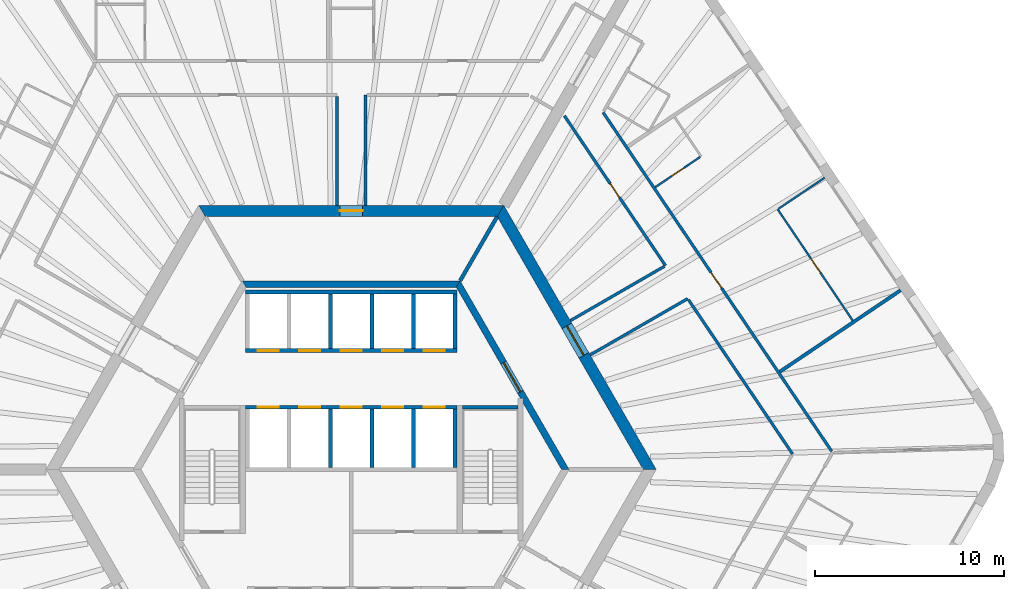
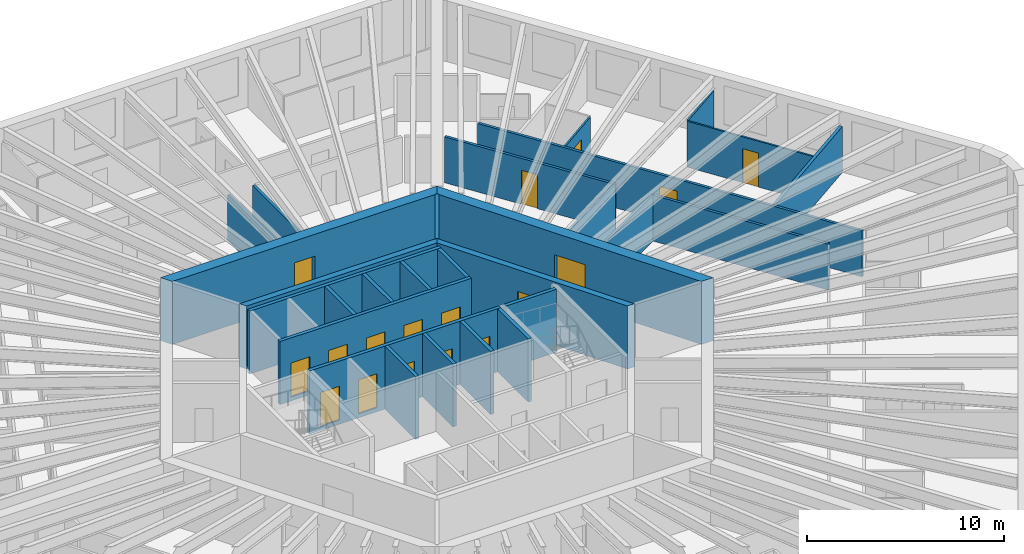
# One storey, part 9 of 12: 28 walls, 17 doors, 17 openings.
"""IFC4 building model written with IfcOpenShell, lengths in metres."""

from ifc_helpers import new_model, si_unit, direction, frame, frame_2d, origin, place, context, subcontext, project, spatial, polyline, rectangle, outline, extrude, material, layer, layer_set, type_object, element, fill, save


model = new_model("IFC4")

# Units and contexts
model_context = context("Model", 3, precision=1e-05, world=origin(), true_north=direction((0.0, 1.0)))
body_context = subcontext(model_context, "Body", "Model", "MODEL_VIEW")
ifc_project = project(units=[si_unit("LENGTHUNIT", "METRE"), si_unit("AREAUNIT", "SQUARE_METRE"), si_unit("VOLUMEUNIT", "CUBIC_METRE"), si_unit("PLANEANGLEUNIT", "RADIAN"), si_unit("MASSUNIT", "GRAM", prefix="KILO")], contexts=[model_context])

# Site, building, storey
site_placement = place(None, origin())
site = spatial("IfcSite", under=ifc_project, at=site_placement, CompositionType="ELEMENT")
building_placement = place(site_placement, origin())
building = spatial("IfcBuilding", under=site, at=building_placement, Name="Tarnside Tower", CompositionType="ELEMENT")
storey_placement = place(building_placement, frame((0.0, 0.0, 138.89990234375)))
storey = spatial("IfcBuildingStorey", under=building, at=storey_placement, Name="L32", CompositionType="ELEMENT", Elevation=138.89990234375)

# Wall, opening, door
ifc_material_1 = material(Name="Gypsum board partition on steel studs", Category="steel")
ifc_layer_1 = layer(ifc_material_1, 0.10009765625)
ifc_layer_set_1 = layer_set([ifc_layer_1], Name="Bathroom wall 100")
wall_type_1 = type_object("IfcWallType", Name="Bathroom wall 100", PredefinedType="PARTITIONING", material=ifc_layer_set_1)
wall_1_placement = place(storey_placement, frame((18.499267578125, 16.565673828125, 0.0), z_axis=(0.0, 0.0, 1.0), x_axis=(-0.82904649496, -0.559179675234, 0.0)))
wall_1 = element("IfcWall", 1, at=wall_1_placement, inside=storey, type_object=wall_type_1, Name="Bathroom wall 10150", PredefinedType="PARTITIONING", context=body_context, shape_type="SweptSolid", body=[
    extrude(rectangle(XDim=2.875, YDim=0.10009765625, at=frame_2d((1.4375, 0.0))), origin(), (0.0, 0.0, 1.0), 2.837890625),
])
opening_1_placement = place(wall_1_placement, frame((1.050048828125, 0.0, 0.0)))
opening_1 = element("IfcOpeningElement", 2, at=opening_1_placement, cuts=wall_1, Name="Opening D-B1", PredefinedType="OPENING", context=body_context, shape_type="SweptSolid", body=[
    extrude(rectangle(XDim=0.800048828125, YDim=2.10009765625, at=frame_2d((0.39990234375, 1.050048828125))), frame((0.0, 0.06005859375, 0.0), z_axis=(0.0, -1.0, 0.0), x_axis=(1.0, 0.0, 0.0)), (0.0, 0.0, 1.0), 0.1201171875),
])
ifc_material_2 = material(Name="Timber door leaf", Category="wood")
door_type_1 = type_object("IfcDoorType", Name="Bathroom door 800", OperationType="NOTDEFINED", PredefinedType="DOOR", material=ifc_material_2)
door_1_placement = place(opening_1_placement, origin())
door_1 = element("IfcDoor", 3, at=door_1_placement, inside=storey, type_object=door_type_1, Name="Bathroom door 10038", OperationType="SINGLE_SWING_LEFT", OverallHeight=2.10009765625, OverallWidth=0.800048828125, PredefinedType="DOOR", context=body_context, shape_type="SweptSolid", body=[
    extrude(rectangle(XDim=0.800048828125, YDim=2.10009765625, at=frame_2d((0.39990234375, 1.050048828125))), frame((0.0, 0.02490234375, 0.0), z_axis=(0.0, -1.0, 0.0), x_axis=(1.0, 0.0, 0.0)), (0.0, 0.0, 1.0), 0.050048828125),
])
fill(opening_1, door_1)

ifc_material_3 = material(Name="Concrete C50/60", Category="concrete")
ifc_layer_2 = layer(ifc_material_3, 0.35009765625)
ifc_layer_set_2 = layer_set([ifc_layer_2], Name="Core block wall 350 C50/60")
wall_type_2 = type_object("IfcWallType", Name="Core block wall 350 C50/60", PredefinedType="SHEAR", material=ifc_layer_set_2)
wall_2_placement = place(storey_placement, frame((11.344970703125, 0.0, -0.14990234375), z_axis=(0.0, 0.0, 1.0), x_axis=(-0.499995046907, 0.866028263435, 0.0)))
wall_2 = element("IfcWall", 4, at=wall_2_placement, inside=storey, type_object=wall_type_2, Name="L32 core block wall face 6", PredefinedType="SHEAR", context=body_context, shape_type="SweptSolid", body=[
    extrude(outline(polyline([(-0.10107421875, -0.175048828125), (11.44580078125, -0.175048828125), (11.24365234375, 0.175048828125), (0.10107421875, 0.175048828125), (-0.10107421875, -0.175048828125)])), origin(), (0.0, 0.0, 1.0), 3.89990234375),
])
opening_2_placement = place(wall_2_placement, frame((4.74365234375, 0.0, 0.14990234375)))
opening_2 = element("IfcOpeningElement", 5, at=opening_2_placement, cuts=wall_2, Name="Opening CD-LOB", PredefinedType="OPENING", context=body_context, shape_type="SweptSolid", body=[
    extrude(rectangle(XDim=1.800048828125, YDim=2.39990234375, at=frame_2d((0.89990234375, 1.199951171875))), frame((0.0, 0.18505859375, 0.0), z_axis=(0.0, -1.0, 0.0), x_axis=(1.0, 0.0, 0.0)), (0.0, 0.0, 1.0), 0.3701171875),
])
ifc_material_4 = material(Name="Steel fire door", Category="steel")
door_type_2 = type_object("IfcDoorType", Name="Lobby double door FD30S 1800x2400", OperationType="NOTDEFINED", PredefinedType="DOOR", material=ifc_material_4)
door_2_placement = place(opening_2_placement, origin())
door_2 = element("IfcDoor", 6, at=door_2_placement, inside=storey, type_object=door_type_2, Name="L32 lobby block door P2", OperationType="DOUBLE_DOOR_SINGLE_SWING", OverallHeight=2.39990234375, OverallWidth=1.800048828125, PredefinedType="DOOR", context=body_context, shape_type="SweptSolid", body=[
    extrude(rectangle(XDim=1.800048828125, YDim=2.39990234375, at=frame_2d((0.89990234375, 1.199951171875))), frame((0.0, 0.02490234375, 0.0), z_axis=(0.0, -1.0, 0.0), x_axis=(1.0, 0.0, 0.0)), (0.0, 0.0, 1.0), 0.050048828125),
])
fill(opening_2, door_2)

# Wall
wall_3_placement = place(storey_placement, frame((5.672607421875, 9.824951171875, -0.14990234375), z_axis=(0.0, 0.0, 1.0), x_axis=(-1.0, 0.0, 0.0)))
element("IfcWall", 7, at=wall_3_placement, inside=storey, type_object=wall_type_2, Name="L32 core block wall face 1", PredefinedType="SHEAR", context=body_context, shape_type="SweptSolid", body=[
    extrude(outline(polyline([(-0.10107421875, -0.175048828125), (11.4462890625, -0.175048828125), (11.244140625, 0.175048828125), (0.10107421875, 0.175048828125), (-0.10107421875, -0.175048828125)])), origin(), (0.0, 0.0, 1.0), 3.89990234375),
])

# Wall, opening, door
ifc_material_5 = material(Name="Concrete C80/95", Category="concrete")
ifc_layer_3 = layer(ifc_material_5, 0.60009765625)
ifc_layer_set_3 = layer_set([ifc_layer_3], Name="Core wall Z1 600 C80/95")
wall_type_3 = type_object("IfcWallType", Name="Core wall Z1 600 C80/95", PredefinedType="SHEAR", material=ifc_layer_set_3)
wall_4_placement = place(storey_placement, frame((15.8193359375, 0.0, -0.14990234375), z_axis=(0.0, 0.0, 1.0), x_axis=(-0.499999880136, 0.866025472988, 0.0)))
wall_4 = element("IfcWall", 8, at=wall_4_placement, inside=storey, type_object=wall_type_3, Name="L32 core wall face 6", PredefinedType="SHEAR", context=body_context, shape_type="SweptSolid", body=[
    extrude(outline(polyline([(-0.17333984375, -0.300048828125), (15.99267578125, -0.300048828125), (15.64599609375, 0.300048828125), (0.17333984375, 0.300048828125), (-0.17333984375, -0.300048828125)])), origin(), (0.0, 0.0, 1.0), 3.89990234375),
])
opening_3_placement = place(wall_4_placement, frame((6.980712890625, 0.0, 0.14990234375)))
opening_3 = element("IfcOpeningElement", 9, at=opening_3_placement, cuts=wall_4, Name="Opening CD-LOB", PredefinedType="OPENING", context=body_context, shape_type="SweptSolid", body=[
    extrude(rectangle(XDim=1.800048828125, YDim=2.39990234375, at=frame_2d((0.89990234375, 1.199951171875))), frame((0.0, 0.31005859375, 0.0), z_axis=(0.0, -1.0, 0.0), x_axis=(1.0, 0.0, 0.0)), (0.0, 0.0, 1.0), 0.6201171875),
])
door_3_placement = place(opening_3_placement, origin())
door_3 = element("IfcDoor", 10, at=door_3_placement, inside=storey, type_object=door_type_2, Name="L32 core door P2", OperationType="DOUBLE_DOOR_SINGLE_SWING", OverallHeight=2.39990234375, OverallWidth=1.800048828125, PredefinedType="DOOR", context=body_context, shape_type="SweptSolid", body=[
    extrude(rectangle(XDim=1.800048828125, YDim=2.39990234375, at=frame_2d((0.89990234375, 1.199951171875))), frame((0.0, 0.02490234375, 0.0), z_axis=(0.0, -1.0, 0.0), x_axis=(1.0, 0.0, 0.0)), (0.0, 0.0, 1.0), 0.050048828125),
])
fill(opening_3, door_3)

wall_5_placement = place(storey_placement, frame((7.90966796875, 13.699951171875, -0.14990234375), z_axis=(0.0, 0.0, 1.0), x_axis=(-1.0, 0.0, 0.0)))
wall_5 = element("IfcWall", 11, at=wall_5_placement, inside=storey, type_object=wall_type_3, Name="L32 core wall face 1", PredefinedType="SHEAR", context=body_context, shape_type="SweptSolid", body=[
    extrude(outline(polyline([(-0.17333984375, -0.300048828125), (15.99267578125, -0.300048828125), (15.64599609375, 0.300048828125), (0.17333984375, 0.300048828125), (-0.17333984375, -0.300048828125)])), origin(), (0.0, 0.0, 1.0), 3.89990234375),
])
opening_4_placement = place(wall_5_placement, frame((7.309814453125, 0.0, 0.14990234375)))
opening_4 = element("IfcOpeningElement", 12, at=opening_4_placement, cuts=wall_5, Name="Opening CD-RSR", PredefinedType="OPENING", context=body_context, shape_type="SweptSolid", body=[
    extrude(rectangle(XDim=1.199951171875, YDim=2.39990234375, at=frame_2d((0.60009765625, 1.199951171875))), frame((0.0, 0.31005859375, 0.0), z_axis=(0.0, -1.0, 0.0), x_axis=(1.0, 0.0, 0.0)), (0.0, 0.0, 1.0), 0.6201171875),
])
door_type_3 = type_object("IfcDoorType", Name="Riser door FD60 1200x2400", OperationType="NOTDEFINED", PredefinedType="DOOR", material=ifc_material_4)
door_4_placement = place(opening_4_placement, origin())
door_4 = element("IfcDoor", 13, at=door_4_placement, inside=storey, type_object=door_type_3, Name="L32 core door S5", OperationType="SINGLE_SWING_LEFT", OverallHeight=2.39990234375, OverallWidth=1.199951171875, PredefinedType="DOOR", context=body_context, shape_type="SweptSolid", body=[
    extrude(rectangle(XDim=1.199951171875, YDim=2.39990234375, at=frame_2d((0.60009765625, 1.199951171875))), frame((0.0, 0.02490234375, 0.0), z_axis=(0.0, -1.0, 0.0), x_axis=(1.0, 0.0, 0.0)), (0.0, 0.0, 1.0), 0.050048828125),
])
fill(opening_4, door_4)

# Walls
ifc_layer_4 = layer(ifc_material_1, 0.14990234375)
ifc_layer_set_4 = layer_set([ifc_layer_4], Name="Corridor wall 150 EI 60")
wall_type_4 = type_object("IfcWallType", Name="Corridor wall 150 EI 60", PredefinedType="PARTITIONING", material=ifc_layer_set_4)
wall_6_placement = place(storey_placement, frame((-0.75, 19.77490234375, 0.0), z_axis=(0.0, 0.0, 1.0), x_axis=(0.0, -1.0, 0.0)))
element("IfcWall", 14, at=wall_6_placement, inside=storey, type_object=wall_type_4, Name="Corridor wall 10019", PredefinedType="PARTITIONING", context=body_context, shape_type="SweptSolid", body=[
    extrude(rectangle(XDim=5.77490234375, YDim=0.14990234375, at=frame_2d((2.887451171875, 0.0))), origin(), (0.0, 0.0, 1.0), 2.837890625),
])
wall_7_placement = place(storey_placement, frame((0.75, 14.0, 0.0), z_axis=(0.0, 0.0, 1.0), x_axis=(0.0, 1.0, 0.0)))
element("IfcWall", 15, at=wall_7_placement, inside=storey, type_object=wall_type_4, Name="Corridor wall 10020", PredefinedType="PARTITIONING", context=body_context, shape_type="SweptSolid", body=[
    extrude(rectangle(XDim=5.85009765625, YDim=0.14990234375, at=frame_2d((2.925048828125, 0.0))), origin(), (0.0, 0.0, 1.0), 2.837890625),
])

# Wall, opening, door
wall_8_placement = place(storey_placement, frame((25.467041015625, 0.960205078125, 0.0), z_axis=(0.0, 0.0, 1.0), x_axis=(-0.559200743185, 0.829032284547, 0.0)))
wall_8 = element("IfcWall", 16, at=wall_8_placement, inside=storey, type_object=wall_type_4, Name="Corridor wall 10059", PredefinedType="PARTITIONING", context=body_context, shape_type="SweptSolid", body=[
    extrude(rectangle(XDim=21.66796875, YDim=0.14990234375, at=frame_2d((10.833984375, 0.0))), origin(), (0.0, 0.0, 1.0), 2.837890625),
])
opening_5_placement = place(wall_8_placement, frame((10.433837890625, 0.0, 0.0)))
opening_5 = element("IfcOpeningElement", 17, at=opening_5_placement, cuts=wall_8, Name="Opening D-E1", PredefinedType="OPENING", context=body_context, shape_type="SweptSolid", body=[
    extrude(rectangle(XDim=1.0, YDim=2.10009765625, at=frame_2d((0.5, 1.050048828125))), frame((0.0, 0.0849609375, 0.0), z_axis=(0.0, -1.0, 0.0), x_axis=(1.0, 0.0, 0.0)), (0.0, 0.0, 1.0), 0.169921875),
])
door_type_4 = type_object("IfcDoorType", Name="Unit entrance door 1000 FD30S", OperationType="NOTDEFINED", PredefinedType="DOOR", material=ifc_material_2)
door_5_placement = place(opening_5_placement, origin())
door_5 = element("IfcDoor", 18, at=door_5_placement, inside=storey, type_object=door_type_4, Name="Unit door 10037", OperationType="SINGLE_SWING_RIGHT", OverallHeight=2.10009765625, OverallWidth=1.0, PredefinedType="DOOR", context=body_context, shape_type="SweptSolid", body=[
    extrude(rectangle(XDim=1.0, YDim=2.10009765625, at=frame_2d((0.5, 1.050048828125))), frame((0.0, 0.02490234375, 0.0), z_axis=(0.0, -1.0, 0.0), x_axis=(1.0, 0.0, 0.0)), (0.0, 0.0, 1.0), 0.050048828125),
])
fill(opening_5, door_5)

# Walls
wall_9_placement = place(storey_placement, frame((12.663818359375, 6.065673828125, 0.0), z_axis=(0.0, 0.0, 1.0), x_axis=(0.866018848283, 0.500011354289, 0.0)))
element("IfcWall", 19, at=wall_9_placement, inside=storey, type_object=wall_type_4, Name="Corridor wall 10067", PredefinedType="PARTITIONING", context=body_context, shape_type="SweptSolid", body=[
    extrude(rectangle(XDim=5.973876953125, YDim=0.14990234375, at=frame_2d((2.98681640625, 0.0))), origin(), (0.0, 0.0, 1.0), 2.837890625),
])
wall_10_placement = place(storey_placement, frame((17.87939453125, 8.990234375, 0.0), z_axis=(0.0, 0.0, 1.0), x_axis=(0.559189565351, -0.829039824136, 0.0)))
element("IfcWall", 20, at=wall_10_placement, inside=storey, type_object=wall_type_4, Name="Corridor wall 10068", PredefinedType="PARTITIONING", context=body_context, shape_type="SweptSolid", body=[
    extrude(rectangle(XDim=9.85888671875, YDim=0.14990234375, at=frame_2d((4.929443359375, 0.0))), origin(), (0.0, 0.0, 1.0), 2.837890625),
])

# Wall, opening, door
wall_11_placement = place(storey_placement, frame((11.297607421875, 18.748046875, 0.0), z_axis=(0.0, 0.0, 1.0), x_axis=(0.559198234291, -0.829033976847, 0.0)))
wall_11 = element("IfcWall", 21, at=wall_11_placement, inside=storey, type_object=wall_type_4, Name="Corridor wall 10074", PredefinedType="PARTITIONING", context=body_context, shape_type="SweptSolid", body=[
    extrude(rectangle(XDim=9.589599609375, YDim=0.14990234375, at=frame_2d((4.794921875, 0.0))), origin(), (0.0, 0.0, 1.0), 2.837890625),
])
opening_6_placement = place(wall_11_placement, frame((4.3447265625, 0.0, 0.0)))
opening_6 = element("IfcOpeningElement", 22, at=opening_6_placement, cuts=wall_11, Name="Opening D-S1", PredefinedType="OPENING", context=body_context, shape_type="SweptSolid", body=[
    extrude(rectangle(XDim=0.89990234375, YDim=2.10009765625, at=frame_2d((0.449951171875, 1.050048828125))), frame((0.0, 0.0849609375, 0.0), z_axis=(0.0, -1.0, 0.0), x_axis=(1.0, 0.0, 0.0)), (0.0, 0.0, 1.0), 0.169921875),
])
door_type_5 = type_object("IfcDoorType", Name="Service room door 900 FD30S", OperationType="NOTDEFINED", PredefinedType="DOOR", material=ifc_material_2)
door_6_placement = place(opening_6_placement, origin())
door_6 = element("IfcDoor", 23, at=door_6_placement, inside=storey, type_object=door_type_5, Name="Service door 10050", OperationType="SINGLE_SWING_RIGHT", OverallHeight=2.10009765625, OverallWidth=0.89990234375, PredefinedType="DOOR", context=body_context, shape_type="SweptSolid", body=[
    extrude(rectangle(XDim=0.89990234375, YDim=2.10009765625, at=frame_2d((0.449951171875, 1.050048828125))), frame((0.0, 0.02490234375, 0.0), z_axis=(0.0, -1.0, 0.0), x_axis=(1.0, 0.0, 0.0)), (0.0, 0.0, 1.0), 0.050048828125),
])
fill(opening_6, door_6)

# Walls
wall_12_placement = place(storey_placement, frame((16.594970703125, 10.76025390625, 0.0), z_axis=(0.0, 0.0, 1.0), x_axis=(-0.866019477104, -0.500010265171, 0.0)))
element("IfcWall", 24, at=wall_12_placement, inside=storey, type_object=wall_type_4, Name="Corridor wall 10075", PredefinedType="PARTITIONING", context=body_context, shape_type="SweptSolid", body=[
    extrude(rectangle(XDim=5.751953125, YDim=0.14990234375, at=frame_2d((2.8759765625, 0.0))), origin(), (0.0, 0.0, 1.0), 2.837890625),
])
ifc_layer_5 = layer(ifc_material_1, 0.179931640625)
ifc_layer_set_5 = layer_set([ifc_layer_5], Name="Demising wall 180 EI 60")
wall_type_5 = type_object("IfcWallType", Name="Demising wall 180 EI 60", PredefinedType="PARTITIONING", material=ifc_layer_set_5)
wall_13_placement = place(storey_placement, frame((29.11865234375, 9.4951171875, 0.0), z_axis=(0.0, 0.0, 1.0), x_axis=(-0.82903328576, -0.559199258853, 0.0)))
element("IfcWall", 25, at=wall_13_placement, inside=storey, type_object=wall_type_5, Name="Demising wall 10147", PredefinedType="PARTITIONING", context=body_context, shape_type="SweptSolid", body=[
    extrude(rectangle(XDim=7.72509765625, YDim=0.179931640625, at=frame_2d((3.862548828125, 0.0))), origin(), (0.0, 0.0, 1.0), 2.837890625),
])

# Wall, openings, doors
ifc_material_6 = material(Name="Concrete C40/50", Category="concrete")
ifc_layer_6 = layer(ifc_material_6, 0.199951171875)
ifc_layer_set_6 = layer_set([ifc_layer_6], Name="Lift shaft wall 200 C40/50")
wall_type_6 = type_object("IfcWallType", Name="Lift shaft wall 200 C40/50", PredefinedType="SHEAR", material=ifc_layer_set_6)
wall_14_placement = place(storey_placement, frame((-5.60009765625, 6.300048828125, -0.25), z_axis=(0.0, 0.0, 1.0), x_axis=(1.0, 0.0, 0.0)))
wall_14 = element("IfcWall", 26, at=wall_14_placement, inside=storey, type_object=wall_type_6, Name="L32 lift shaft front wall R1", PredefinedType="SHEAR", context=body_context, shape_type="SweptSolid", body=[
    extrude(rectangle(XDim=11.2001953125, YDim=0.199951171875, at=frame_2d((5.60009765625, 0.0))), origin(), (0.0, 0.0, 1.0), 3.900146484375),
])
opening_7_placement = place(wall_14_placement, frame((0.64990234375, 0.0, 0.25)))
opening_7 = element("IfcOpeningElement", 27, at=opening_7_placement, cuts=wall_14, Name="Opening LD", PredefinedType="OPENING", context=body_context, shape_type="SweptSolid", body=[
    extrude(rectangle(XDim=1.10009765625, YDim=2.10009765625, at=frame_2d((0.550048828125, 1.050048828125))), frame((0.0, 0.10986328125, 0.0), z_axis=(0.0, -1.0, 0.0), x_axis=(1.0, 0.0, 0.0)), (0.0, 0.0, 1.0), 0.219970703125),
])
opening_8_placement = place(wall_14_placement, frame((2.85009765625, 0.0, 0.25)))
opening_8 = element("IfcOpeningElement", 28, at=opening_8_placement, cuts=wall_14, Name="Opening LD", PredefinedType="OPENING", context=body_context, shape_type="SweptSolid", body=[
    extrude(rectangle(XDim=1.10009765625, YDim=2.10009765625, at=frame_2d((0.550048828125, 1.050048828125))), frame((0.0, 0.10986328125, 0.0), z_axis=(0.0, -1.0, 0.0), x_axis=(1.0, 0.0, 0.0)), (0.0, 0.0, 1.0), 0.219970703125),
])
opening_9_placement = place(wall_14_placement, frame((5.050048828125, 0.0, 0.25)))
opening_9 = element("IfcOpeningElement", 29, at=opening_9_placement, cuts=wall_14, Name="Opening LD", PredefinedType="OPENING", context=body_context, shape_type="SweptSolid", body=[
    extrude(rectangle(XDim=1.10009765625, YDim=2.10009765625, at=frame_2d((0.550048828125, 1.050048828125))), frame((0.0, 0.10986328125, 0.0), z_axis=(0.0, -1.0, 0.0), x_axis=(1.0, 0.0, 0.0)), (0.0, 0.0, 1.0), 0.219970703125),
])
opening_10_placement = place(wall_14_placement, frame((7.25, 0.0, 0.25)))
opening_10 = element("IfcOpeningElement", 30, at=opening_10_placement, cuts=wall_14, Name="Opening LD", PredefinedType="OPENING", context=body_context, shape_type="SweptSolid", body=[
    extrude(rectangle(XDim=1.10009765625, YDim=2.10009765625, at=frame_2d((0.550048828125, 1.050048828125))), frame((0.0, 0.10986328125, 0.0), z_axis=(0.0, -1.0, 0.0), x_axis=(1.0, 0.0, 0.0)), (0.0, 0.0, 1.0), 0.219970703125),
])
opening_11_placement = place(wall_14_placement, frame((9.449951171875, 0.0, 0.25)))
opening_11 = element("IfcOpeningElement", 31, at=opening_11_placement, cuts=wall_14, Name="Opening LD", PredefinedType="OPENING", context=body_context, shape_type="SweptSolid", body=[
    extrude(rectangle(XDim=1.10009765625, YDim=2.10009765625, at=frame_2d((0.550048828125, 1.050048828125))), frame((0.0, 0.10986328125, 0.0), z_axis=(0.0, -1.0, 0.0), x_axis=(1.0, 0.0, 0.0)), (0.0, 0.0, 1.0), 0.219970703125),
])
ifc_material_7 = material(Name="Stainless steel", Category="steel")
door_type_6 = type_object("IfcDoorType", Name="Lift landing door 1100x2100", OperationType="NOTDEFINED", PredefinedType="DOOR", material=ifc_material_7)
door_7_placement = place(opening_7_placement, origin())
door_7 = element("IfcDoor", 32, at=door_7_placement, inside=storey, type_object=door_type_6, Name="Low-rise lift 1 landing door L32", OperationType="SLIDING_TO_LEFT", OverallHeight=2.10009765625, OverallWidth=1.10009765625, PredefinedType="DOOR", context=body_context, shape_type="SweptSolid", body=[
    extrude(rectangle(XDim=1.10009765625, YDim=2.10009765625, at=frame_2d((0.550048828125, 1.050048828125))), frame((0.0, 0.02490234375, 0.0), z_axis=(0.0, -1.0, 0.0), x_axis=(1.0, 0.0, 0.0)), (0.0, 0.0, 1.0), 0.050048828125),
])
fill(opening_7, door_7)
door_8_placement = place(opening_8_placement, origin())
door_8 = element("IfcDoor", 33, at=door_8_placement, inside=storey, type_object=door_type_6, Name="Low-rise lift 2 landing door L32", OperationType="SLIDING_TO_LEFT", OverallHeight=2.10009765625, OverallWidth=1.10009765625, PredefinedType="DOOR", context=body_context, shape_type="SweptSolid", body=[
    extrude(rectangle(XDim=1.10009765625, YDim=2.10009765625, at=frame_2d((0.550048828125, 1.050048828125))), frame((0.0, 0.02490234375, 0.0), z_axis=(0.0, -1.0, 0.0), x_axis=(1.0, 0.0, 0.0)), (0.0, 0.0, 1.0), 0.050048828125),
])
fill(opening_8, door_8)
door_9_placement = place(opening_9_placement, origin())
door_9 = element("IfcDoor", 34, at=door_9_placement, inside=storey, type_object=door_type_6, Name="Low-rise lift 3 landing door L32", OperationType="SLIDING_TO_LEFT", OverallHeight=2.10009765625, OverallWidth=1.10009765625, PredefinedType="DOOR", context=body_context, shape_type="SweptSolid", body=[
    extrude(rectangle(XDim=1.10009765625, YDim=2.10009765625, at=frame_2d((0.550048828125, 1.050048828125))), frame((0.0, 0.02490234375, 0.0), z_axis=(0.0, -1.0, 0.0), x_axis=(1.0, 0.0, 0.0)), (0.0, 0.0, 1.0), 0.050048828125),
])
fill(opening_9, door_9)
door_10_placement = place(opening_10_placement, origin())
door_10 = element("IfcDoor", 35, at=door_10_placement, inside=storey, type_object=door_type_6, Name="Low sky-lobby shuttle 1 landing door L32", OperationType="SLIDING_TO_LEFT", OverallHeight=2.10009765625, OverallWidth=1.10009765625, PredefinedType="DOOR", context=body_context, shape_type="SweptSolid", body=[
    extrude(rectangle(XDim=1.10009765625, YDim=2.10009765625, at=frame_2d((0.550048828125, 1.050048828125))), frame((0.0, 0.02490234375, 0.0), z_axis=(0.0, -1.0, 0.0), x_axis=(1.0, 0.0, 0.0)), (0.0, 0.0, 1.0), 0.050048828125),
])
fill(opening_10, door_10)
door_11_placement = place(opening_11_placement, origin())
door_11 = element("IfcDoor", 36, at=door_11_placement, inside=storey, type_object=door_type_6, Name="Low sky-lobby shuttle 2 landing door L32", OperationType="SLIDING_TO_LEFT", OverallHeight=2.10009765625, OverallWidth=1.10009765625, PredefinedType="DOOR", context=body_context, shape_type="SweptSolid", body=[
    extrude(rectangle(XDim=1.10009765625, YDim=2.10009765625, at=frame_2d((0.550048828125, 1.050048828125))), frame((0.0, 0.02490234375, 0.0), z_axis=(0.0, -1.0, 0.0), x_axis=(1.0, 0.0, 0.0)), (0.0, 0.0, 1.0), 0.050048828125),
])
fill(opening_11, door_11)

# Walls
wall_15_placement = place(storey_placement, frame((-5.60009765625, 9.39990234375, -0.25), z_axis=(0.0, 0.0, 1.0), x_axis=(1.0, 0.0, 0.0)))
element("IfcWall", 37, at=wall_15_placement, inside=storey, type_object=wall_type_6, Name="L32 lift shaft back wall R1", PredefinedType="SHEAR", context=body_context, shape_type="SweptSolid", body=[
    extrude(rectangle(XDim=11.2001953125, YDim=0.199951171875, at=frame_2d((5.60009765625, 0.0))), origin(), (0.0, 0.0, 1.0), 3.900146484375),
])
for number, where, z_axis, x_axis, name in (
    (38, (-1.10009765625, 6.39990234375, -0.25), (0.0, 0.0, 1.0), (0.0, 1.0, 0.0), "L32 lift shaft partition R13"),
    (39, (1.10009765625, 6.39990234375, -0.25), (0.0, 0.0, 1.0), (0.0, 1.0, 0.0), "L32 lift shaft partition R14"),
    (40, (3.300048828125, 6.39990234375, -0.25), (0.0, 0.0, 1.0), (0.0, 1.0, 0.0), "L32 lift shaft partition R15"),
    (41, (5.5, 6.39990234375, -0.25), (0.0, 0.0, 1.0), (0.0, 1.0, 0.0), "L32 lift shaft partition R16"),
):
    element("IfcWall", number, at=place(storey_placement, frame(where, z_axis=z_axis, x_axis=x_axis)), inside=storey, type_object=wall_type_6, Name=name, PredefinedType="SHEAR", context=body_context, shape_type="SweptSolid", body=[
        extrude(rectangle(XDim=2.900146484375, YDim=0.199951171875, at=frame_2d((1.4501953125, 0.0))), origin(), (0.0, 0.0, 1.0), 3.900146484375),
    ])

# Wall, openings, doors
wall_16_placement = place(storey_placement, frame((-5.60009765625, 3.300048828125, -0.25), z_axis=(0.0, 0.0, 1.0), x_axis=(1.0, 0.0, 0.0)))
wall_16 = element("IfcWall", 42, at=wall_16_placement, inside=storey, type_object=wall_type_6, Name="L32 lift shaft front wall R2", PredefinedType="SHEAR", context=body_context, shape_type="SweptSolid", body=[
    extrude(rectangle(XDim=11.2001953125, YDim=0.199951171875, at=frame_2d((5.60009765625, 0.0))), origin(), (0.0, 0.0, 1.0), 3.900146484375),
])
opening_12_placement = place(wall_16_placement, frame((0.64990234375, 0.0, 0.25)))
opening_12 = element("IfcOpeningElement", 43, at=opening_12_placement, cuts=wall_16, Name="Opening LD", PredefinedType="OPENING", context=body_context, shape_type="SweptSolid", body=[
    extrude(rectangle(XDim=1.10009765625, YDim=2.10009765625, at=frame_2d((0.550048828125, 1.050048828125))), frame((0.0, 0.10986328125, 0.0), z_axis=(0.0, -1.0, 0.0), x_axis=(1.0, 0.0, 0.0)), (0.0, 0.0, 1.0), 0.219970703125),
])
opening_13_placement = place(wall_16_placement, frame((2.85009765625, 0.0, 0.25)))
opening_13 = element("IfcOpeningElement", 44, at=opening_13_placement, cuts=wall_16, Name="Opening LD", PredefinedType="OPENING", context=body_context, shape_type="SweptSolid", body=[
    extrude(rectangle(XDim=1.10009765625, YDim=2.10009765625, at=frame_2d((0.550048828125, 1.050048828125))), frame((0.0, 0.10986328125, 0.0), z_axis=(0.0, -1.0, 0.0), x_axis=(1.0, 0.0, 0.0)), (0.0, 0.0, 1.0), 0.219970703125),
])
opening_14_placement = place(wall_16_placement, frame((5.050048828125, 0.0, 0.25)))
opening_14 = element("IfcOpeningElement", 45, at=opening_14_placement, cuts=wall_16, Name="Opening LD", PredefinedType="OPENING", context=body_context, shape_type="SweptSolid", body=[
    extrude(rectangle(XDim=1.10009765625, YDim=2.10009765625, at=frame_2d((0.550048828125, 1.050048828125))), frame((0.0, 0.10986328125, 0.0), z_axis=(0.0, -1.0, 0.0), x_axis=(1.0, 0.0, 0.0)), (0.0, 0.0, 1.0), 0.219970703125),
])
opening_15_placement = place(wall_16_placement, frame((7.25, 0.0, 0.25)))
opening_15 = element("IfcOpeningElement", 46, at=opening_15_placement, cuts=wall_16, Name="Opening LD", PredefinedType="OPENING", context=body_context, shape_type="SweptSolid", body=[
    extrude(rectangle(XDim=1.10009765625, YDim=2.10009765625, at=frame_2d((0.550048828125, 1.050048828125))), frame((0.0, 0.10986328125, 0.0), z_axis=(0.0, -1.0, 0.0), x_axis=(1.0, 0.0, 0.0)), (0.0, 0.0, 1.0), 0.219970703125),
])
opening_16_placement = place(wall_16_placement, frame((9.449951171875, 0.0, 0.25)))
opening_16 = element("IfcOpeningElement", 47, at=opening_16_placement, cuts=wall_16, Name="Opening LD", PredefinedType="OPENING", context=body_context, shape_type="SweptSolid", body=[
    extrude(rectangle(XDim=1.10009765625, YDim=2.10009765625, at=frame_2d((0.550048828125, 1.050048828125))), frame((0.0, 0.10986328125, 0.0), z_axis=(0.0, -1.0, 0.0), x_axis=(1.0, 0.0, 0.0)), (0.0, 0.0, 1.0), 0.219970703125),
])
door_12_placement = place(opening_12_placement, origin())
door_12 = element("IfcDoor", 48, at=door_12_placement, inside=storey, type_object=door_type_6, Name="Low-rise lift 4 landing door L32", OperationType="SLIDING_TO_LEFT", OverallHeight=2.10009765625, OverallWidth=1.10009765625, PredefinedType="DOOR", context=body_context, shape_type="SweptSolid", body=[
    extrude(rectangle(XDim=1.10009765625, YDim=2.10009765625, at=frame_2d((0.550048828125, 1.050048828125))), frame((0.0, 0.02490234375, 0.0), z_axis=(0.0, -1.0, 0.0), x_axis=(1.0, 0.0, 0.0)), (0.0, 0.0, 1.0), 0.050048828125),
])
fill(opening_12, door_12)
door_13_placement = place(opening_13_placement, origin())
door_13 = element("IfcDoor", 49, at=door_13_placement, inside=storey, type_object=door_type_6, Name="Low-rise lift 5 landing door L32", OperationType="SLIDING_TO_LEFT", OverallHeight=2.10009765625, OverallWidth=1.10009765625, PredefinedType="DOOR", context=body_context, shape_type="SweptSolid", body=[
    extrude(rectangle(XDim=1.10009765625, YDim=2.10009765625, at=frame_2d((0.550048828125, 1.050048828125))), frame((0.0, 0.02490234375, 0.0), z_axis=(0.0, -1.0, 0.0), x_axis=(1.0, 0.0, 0.0)), (0.0, 0.0, 1.0), 0.050048828125),
])
fill(opening_13, door_13)
door_14_placement = place(opening_14_placement, origin())
door_14 = element("IfcDoor", 50, at=door_14_placement, inside=storey, type_object=door_type_6, Name="Low-rise lift 6 landing door L32", OperationType="SLIDING_TO_LEFT", OverallHeight=2.10009765625, OverallWidth=1.10009765625, PredefinedType="DOOR", context=body_context, shape_type="SweptSolid", body=[
    extrude(rectangle(XDim=1.10009765625, YDim=2.10009765625, at=frame_2d((0.550048828125, 1.050048828125))), frame((0.0, 0.02490234375, 0.0), z_axis=(0.0, -1.0, 0.0), x_axis=(1.0, 0.0, 0.0)), (0.0, 0.0, 1.0), 0.050048828125),
])
fill(opening_14, door_14)
door_15_placement = place(opening_15_placement, origin())
door_15 = element("IfcDoor", 51, at=door_15_placement, inside=storey, type_object=door_type_6, Name="High sky-lobby shuttle 1 landing door L32", OperationType="SLIDING_TO_LEFT", OverallHeight=2.10009765625, OverallWidth=1.10009765625, PredefinedType="DOOR", context=body_context, shape_type="SweptSolid", body=[
    extrude(rectangle(XDim=1.10009765625, YDim=2.10009765625, at=frame_2d((0.550048828125, 1.050048828125))), frame((0.0, 0.02490234375, 0.0), z_axis=(0.0, -1.0, 0.0), x_axis=(1.0, 0.0, 0.0)), (0.0, 0.0, 1.0), 0.050048828125),
])
fill(opening_15, door_15)
door_16_placement = place(opening_16_placement, origin())
door_16 = element("IfcDoor", 52, at=door_16_placement, inside=storey, type_object=door_type_6, Name="Express sky-lobby shuttle 2 landing door L32", OperationType="SLIDING_TO_LEFT", OverallHeight=2.10009765625, OverallWidth=1.10009765625, PredefinedType="DOOR", context=body_context, shape_type="SweptSolid", body=[
    extrude(rectangle(XDim=1.10009765625, YDim=2.10009765625, at=frame_2d((0.550048828125, 1.050048828125))), frame((0.0, 0.02490234375, 0.0), z_axis=(0.0, -1.0, 0.0), x_axis=(1.0, 0.0, 0.0)), (0.0, 0.0, 1.0), 0.050048828125),
])
fill(opening_16, door_16)

# Walls
for number, where, z_axis, x_axis, name in (
    (53, (-1.10009765625, 0.10009765625, -0.25), (0.0, 0.0, 1.0), (0.0, 1.0, 0.0), "L32 lift shaft partition R23"),
    (54, (1.10009765625, 0.10009765625, -0.25), (0.0, 0.0, 1.0), (0.0, 1.0, 0.0), "L32 lift shaft partition R24"),
    (55, (3.300048828125, 0.10009765625, -0.25), (0.0, 0.0, 1.0), (0.0, 1.0, 0.0), "L32 lift shaft partition R25"),
    (56, (5.5, 0.10009765625, -0.25), (0.0, 0.0, 1.0), (0.0, 1.0, 0.0), "L32 lift shaft partition R26"),
):
    element("IfcWall", number, at=place(storey_placement, frame(where, z_axis=z_axis, x_axis=x_axis)), inside=storey, type_object=wall_type_6, Name=name, PredefinedType="SHEAR", context=body_context, shape_type="SweptSolid", body=[
        extrude(rectangle(XDim=3.099853515625, YDim=0.199951171875, at=frame_2d((1.5498046875, 0.0))), origin(), (0.0, 0.0, 1.0), 3.900146484375),
    ])
wall_17_placement = place(storey_placement, frame((5.7734375, 10.0, -0.14990234375), z_axis=(0.0, 0.0, 1.0), x_axis=(0.500038251005, 0.86600331843, 0.0)))
element("IfcWall", 57, at=wall_17_placement, inside=storey, type_object=wall_type_6, Name="L32 core partition AR60", PredefinedType="SHEAR", context=body_context, shape_type="SweptSolid", body=[
    extrude(rectangle(XDim=3.926025390625, YDim=0.199951171875, at=frame_2d((1.962890625, 0.0))), origin(), (0.0, 0.0, 1.0), 3.89990234375),
])
wall_18_placement = place(storey_placement, frame((5.89990234375, 3.300048828125, -0.25), z_axis=(0.0, 0.0, 1.0), x_axis=(1.0, 0.0, 0.0)))
element("IfcWall", 58, at=wall_18_placement, inside=storey, type_object=wall_type_6, Name="L32 stair 1 enclosure cap wall n", PredefinedType="SHEAR", context=body_context, shape_type="SweptSolid", body=[
    extrude(rectangle(XDim=2.9501953125, YDim=0.199951171875, at=frame_2d((1.47509765625, 0.0))), origin(), (0.0, 0.0, 1.0), 3.900146484375),
])

# Wall, opening, door
ifc_layer_7 = layer(ifc_material_1, 0.10009765625)
ifc_layer_set_7 = layer_set([ifc_layer_7], Name="Partition 100")
wall_type_7 = type_object("IfcWallType", Name="Partition 100", PredefinedType="PARTITIONING", material=ifc_layer_set_7)
wall_19_placement = place(storey_placement, frame((26.5810546875, 7.89208984375, 0.0), z_axis=(0.0, 0.0, 1.0), x_axis=(-0.559185029686, 0.829042883435, 0.0)))
wall_19 = element("IfcWall", 59, at=wall_19_placement, inside=storey, type_object=wall_type_7, Name="Partition wall 10151", PredefinedType="PARTITIONING", context=body_context, shape_type="SweptSolid", body=[
    extrude(rectangle(XDim=7.110107421875, YDim=0.10009765625, at=frame_2d((3.55517578125, 0.0))), origin(), (0.0, 0.0, 1.0), 2.837890625),
])
opening_17_placement = place(wall_19_placement, frame((3.06005859375, 0.0, 0.0)))
opening_17 = element("IfcOpeningElement", 60, at=opening_17_placement, cuts=wall_19, Name="Opening D-I1", PredefinedType="OPENING", context=body_context, shape_type="SweptSolid", body=[
    extrude(rectangle(XDim=0.89990234375, YDim=2.10009765625, at=frame_2d((0.449951171875, 1.050048828125))), frame((0.0, 0.06005859375, 0.0), z_axis=(0.0, -1.0, 0.0), x_axis=(1.0, 0.0, 0.0)), (0.0, 0.0, 1.0), 0.1201171875),
])
door_type_7 = type_object("IfcDoorType", Name="Internal door 900", OperationType="NOTDEFINED", PredefinedType="DOOR", material=ifc_material_2)
door_17_placement = place(opening_17_placement, origin())
door_17 = element("IfcDoor", 61, at=door_17_placement, inside=storey, type_object=door_type_7, Name="Internal door 10039", OperationType="SINGLE_SWING_RIGHT", OverallHeight=2.10009765625, OverallWidth=0.89990234375, PredefinedType="DOOR", context=body_context, shape_type="SweptSolid", body=[
    extrude(rectangle(XDim=0.89990234375, YDim=2.10009765625, at=frame_2d((0.449951171875, 1.050048828125))), frame((0.0, 0.02490234375, 0.0), z_axis=(0.0, -1.0, 0.0), x_axis=(1.0, 0.0, 0.0)), (0.0, 0.0, 1.0), 0.050048828125),
])
fill(opening_17, door_17)

# Wall
wall_20_placement = place(storey_placement, frame((22.646728515625, 13.814453125, 0.0), z_axis=(0.0, 0.0, 1.0), x_axis=(0.829020376361, 0.559218397032, 0.0)))
element("IfcWall", 62, at=wall_20_placement, inside=storey, type_object=wall_type_7, Name="Partition wall 10152", PredefinedType="PARTITIONING", context=body_context, shape_type="SweptSolid", body=[
    extrude(rectangle(XDim=2.949951171875, YDim=0.10009765625, at=frame_2d((1.47509765625, 0.0))), origin(), (0.0, 0.0, 1.0), 2.837890625),
])

save(model, "model.ifc")
